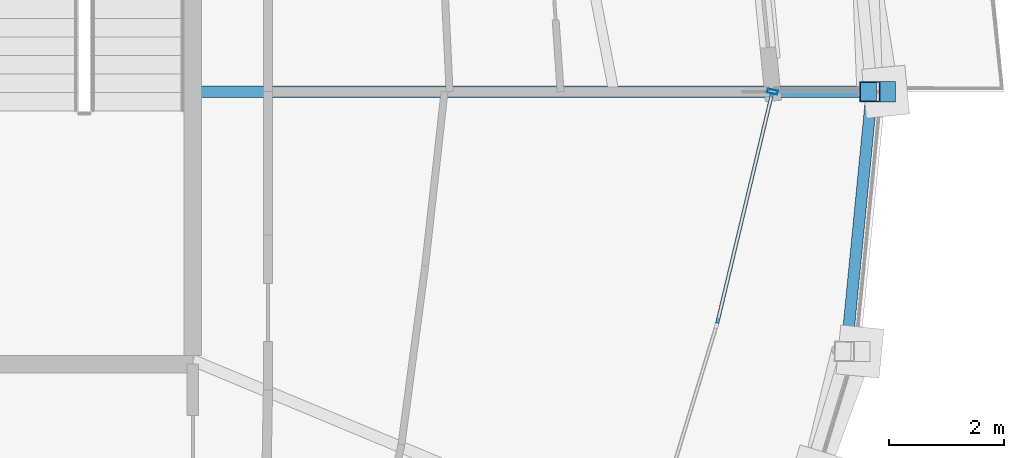
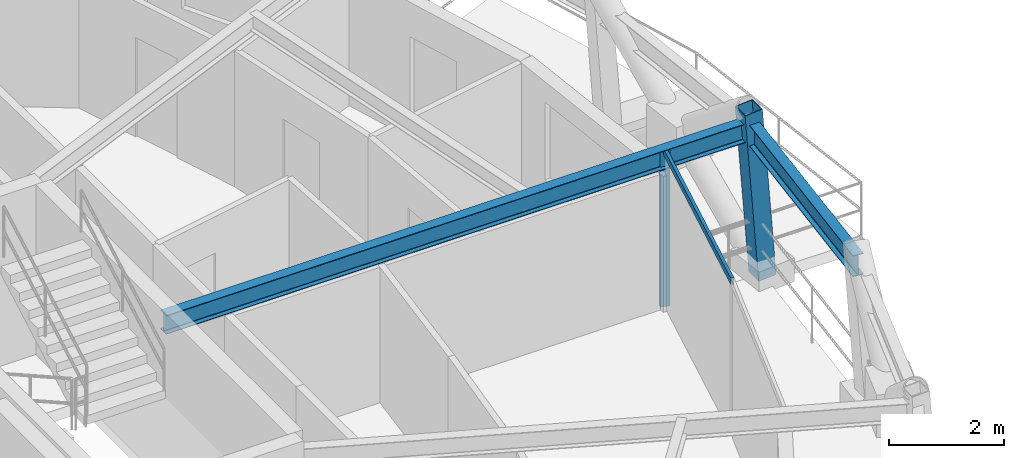
# One storey, part 4 of 12: 3 members, 2 beams, 1 element without a shape of its own.
"""IFC4 building model written with IfcOpenShell, lengths in metres."""

from ifc_helpers import new_model, si_unit, direction, frame, origin, origin_2d, place, context, subcontext, project, spatial, hollow_rectangle, i_section, extrude, material, layer, layer_set, material_profile, profile_set, type_object, element, aggregate, save


model = new_model("IFC4")

# Units and contexts
model_context = context("Model", 3, precision=1e-05, world=origin(), true_north=direction((0.0, 1.0)))
body_context = subcontext(model_context, "Body", "Model", "MODEL_VIEW")
ifc_project = project(units=[si_unit("LENGTHUNIT", "METRE"), si_unit("AREAUNIT", "SQUARE_METRE"), si_unit("VOLUMEUNIT", "CUBIC_METRE"), si_unit("PLANEANGLEUNIT", "RADIAN"), si_unit("MASSUNIT", "GRAM", prefix="KILO")], contexts=[model_context])

# Site, building, storey
site_placement = place(None, origin())
site = spatial("IfcSite", under=ifc_project, at=site_placement, CompositionType="ELEMENT")
building_placement = place(site_placement, origin())
building = spatial("IfcBuilding", under=site, at=building_placement, Name="Veldorina Hangang Commons", CompositionType="ELEMENT")
storey_placement = place(building_placement, frame((0.0, 0.0, 247.199951171875)))
storey = spatial("IfcBuildingStorey", under=building, at=storey_placement, Name="L64", CompositionType="ELEMENT", Elevation=247.199951171875)

# Beams
ifc_material_1 = material(Name="Steel SM355-TMC", Category="steel")
ifc_material_profile_1 = material_profile(ifc_material_1, i_section(OverallWidth=0.199951171875, OverallDepth=0.39990234375, WebThickness=0.008056640625, FlangeThickness=0.012939453125, FilletRadius=0.012939453125, at=origin_2d()), Name="H-400x200x8x13")
ifc_profile_set_1 = profile_set([ifc_material_profile_1], Name="Steel SM355-TMC")
beam_type_1 = type_object("IfcBeamType", Name="BM-FG400", PredefinedType="BEAM", material=ifc_profile_set_1)
beam_1_placement = place(storey_placement, frame((43.179931640625, 24.0, 3.16015625), z_axis=(1.0, 0.0, 0.0), x_axis=(0.0, 1.0, 0.0)))
element("IfcBeam", 1, at=beam_1_placement, inside=storey, type_object=beam_type_1, Name="L64 radial floor girder 01", PredefinedType="BEAM", context=body_context, shape_type="SweptSolid", body=[
    extrude(i_section(OverallWidth=0.199951171875, OverallDepth=0.39990234375, WebThickness=0.008056640625, FlangeThickness=0.012939453125, FilletRadius=0.012939453125, at=origin_2d()), origin(), (0.0, 0.0, 1.0), 11.7607421875),
])
ifc_material_profile_2 = material_profile(ifc_material_1, i_section(OverallWidth=0.199951171875, OverallDepth=0.449951171875, WebThickness=0.009033203125, FlangeThickness=0.013916015625, FilletRadius=0.01611328125, at=origin_2d()), Name="H-450x200x9x14")
ifc_profile_set_2 = profile_set([ifc_material_profile_2], Name="Steel SM355-TMC")
beam_type_2 = type_object("IfcBeamType", Name="BM-RB450", PredefinedType="BEAM", material=ifc_profile_set_2)
beam_2_placement = place(storey_placement, frame((54.5, 19.50146484375, 3.135009765625), z_axis=(0.097492749618, 0.995236235158, 0.0), x_axis=(-0.995236235158, 0.097492749618, 0.0)))
element("IfcBeam", 2, at=beam_2_placement, inside=storey, type_object=beam_type_2, Name="L64 perimeter hoop ring beam 31", PredefinedType="BEAM", context=body_context, shape_type="SweptSolid", body=[
    extrude(i_section(OverallWidth=0.199951171875, OverallDepth=0.449951171875, WebThickness=0.009033203125, FlangeThickness=0.013916015625, FilletRadius=0.01611328125, at=origin_2d()), origin(), (0.0, 0.0, 1.0), 4.52001953125),
])

# Curtain wall, members
ifc_material_2 = material(Name="Glass Low-E Selective", Category="glass")
ifc_layer = layer(ifc_material_2, 0.179931640625)
ifc_layer_set = layer_set([ifc_layer], Name="Glass Low-E Selective")
curtain_wall_type = type_object("IfcCurtainWallType", Name="CW-SYS-Z3", PredefinedType="NOTDEFINED", material=ifc_layer_set)
curtain_wall_placement = place(storey_placement, origin())
curtain_wall = element("IfcCurtainWall", 3, at=curtain_wall_placement, inside=storey, type_object=curtain_wall_type, Name="L64 unitised curtain wall CW-L64-R2", PredefinedType="NOTDEFINED")
ifc_material_3 = material(Name="Aluminium Anodized AA6063-T6", Category="aluminium")
ifc_material_profile_3 = material_profile(ifc_material_3, hollow_rectangle(XDim=0.070068359375, YDim=0.179931640625, WallThickness=0.00390625, at=origin_2d()), Name="ALU-RHS-180x70x4")
ifc_profile_set_3 = profile_set([ifc_material_profile_3], Name="Aluminium Anodized AA6063-T6")
member_type_1 = type_object("IfcMemberType", Name="CW-MUL-180", PredefinedType="MULLION", material=ifc_profile_set_3)
member_1_placement = place(storey_placement, frame((53.2197265625, 24.0, 0.0), z_axis=(0.0, 0.0, 1.0), x_axis=(-0.232189311309, -0.972670614193, 0.0)))
member_1 = element("IfcMember", 4, at=member_1_placement, type_object=member_type_1, Name="CW-L64-R2 vertical mullion 2", PredefinedType="MULLION", context=body_context, shape_type="SweptSolid", body=[
    extrude(hollow_rectangle(XDim=0.070068359375, YDim=0.179931640625, WallThickness=0.00390625, at=origin_2d()), origin(), (0.0, 0.0, 1.0), 3.320068359375),
])
ifc_material_profile_4 = material_profile(ifc_material_3, hollow_rectangle(XDim=0.06005859375, YDim=0.139892578125, WallThickness=0.00341796875, at=origin_2d()), Name="ALU-RHS-140x60x3.5")
ifc_profile_set_4 = profile_set([ifc_material_profile_4], Name="Aluminium Anodized AA6063-T6")
member_type_2 = type_object("IfcMemberType", Name="CW-TRN-140", PredefinedType="USERDEFINED", material=ifc_profile_set_4)
member_2_placement = place(storey_placement, frame((52.2626953125, 19.990966796875, 3.280029296875), z_axis=(0.232194388673, 0.972669402145, 0.0), x_axis=(-0.972669402145, 0.232194388673, 0.0)))
member_2 = element("IfcMember", 5, at=member_2_placement, type_object=member_type_2, Name="CW-L64-R2 facet 2 transom 1", ObjectType="TRANSOM", PredefinedType="USERDEFINED", context=body_context, shape_type="SweptSolid", body=[
    extrude(hollow_rectangle(XDim=0.06005859375, YDim=0.139892578125, WallThickness=0.00341796875, at=origin_2d()), origin(), (0.0, 0.0, 1.0), 4.12158203125),
])
aggregate(curtain_wall, [member_1, member_2])

# Member
ifc_material_profile_5 = material_profile(ifc_material_1, hollow_rectangle(XDim=0.35009765625, YDim=0.35009765625, WallThickness=0.01611328125, at=origin_2d()), Name="SHS-350x350x16")
ifc_profile_set_5 = profile_set([ifc_material_profile_5], Name="Steel SM355-TMC")
member_type_3 = type_object("IfcMemberType", Name="STR-SHS350", PredefinedType="STRUT", material=ifc_profile_set_5)
member_3_placement = place(storey_placement, frame((55.1796875, 24.0, 0.0), z_axis=(-0.076003586044, 0.0, 0.997107544304), x_axis=(0.0, -1.0, 0.0)))
element("IfcMember", 6, at=member_3_placement, inside=storey, type_object=member_type_3, Name="L64 perimeter ring node post 00", PredefinedType="STRUT", context=body_context, shape_type="SweptSolid", body=[
    extrude(hollow_rectangle(XDim=0.35009765625, YDim=0.35009765625, WallThickness=0.01611328125, at=origin_2d()), origin(), (0.0, 0.0, 1.0), 3.610595703125),
])

save(model, "model.ifc")
